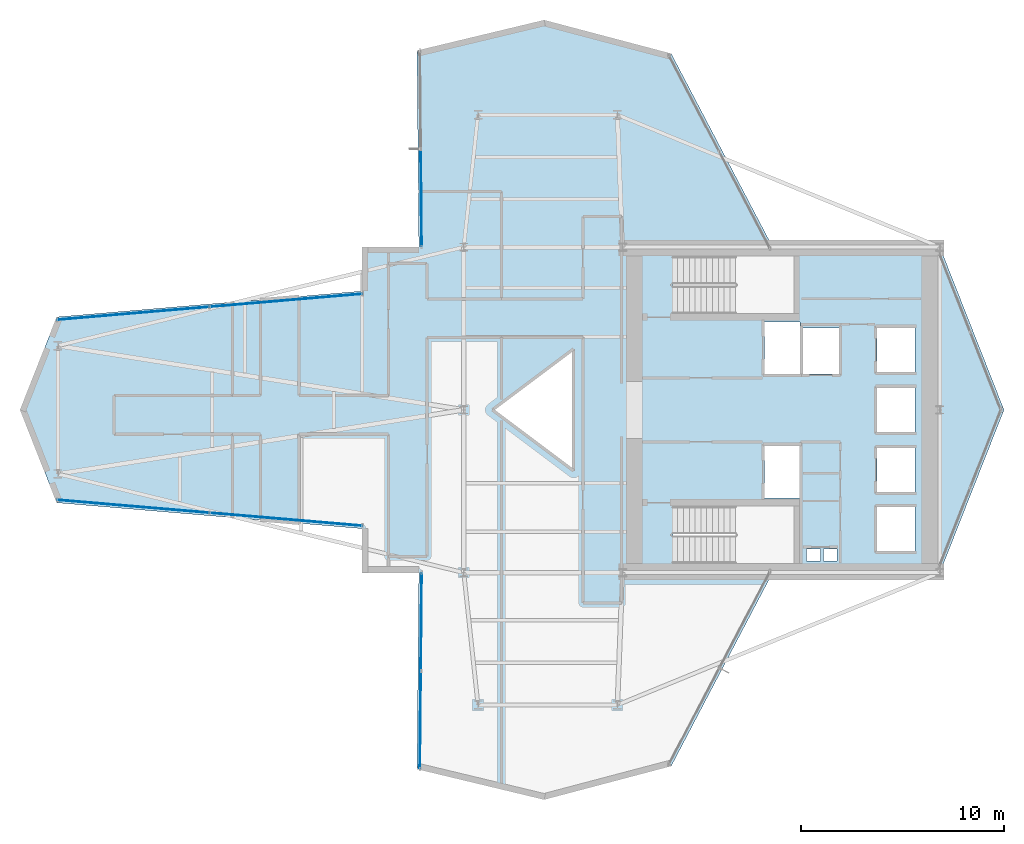
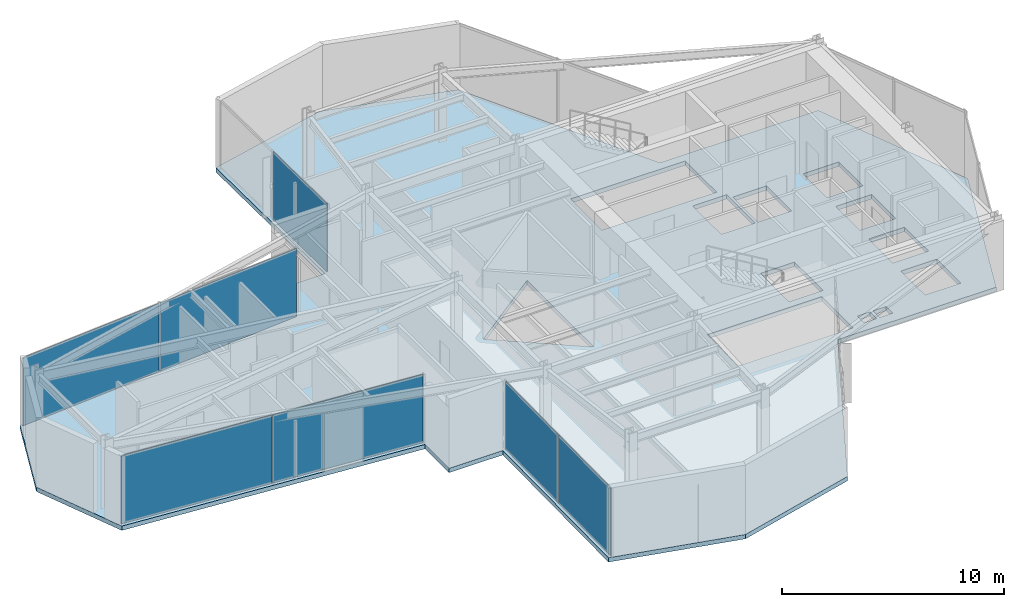
# One storey, part 19 of 25: 7 plates, 1 slab, 4 elements without a shape of their own.
"""IFC4 building model written with IfcOpenShell, lengths in metres."""

from ifc_helpers import new_model, si_unit, direction, frame, origin, origin_2d, place, context, subcontext, project, spatial, polyline, rectangle, outline, extrude, material, layer, layer_set, type_object, element, aggregate, save


model = new_model("IFC4")

# Units and contexts
model_context = context("Model", 3, precision=1e-05, world=origin(), true_north=direction((0.0, 1.0)))
body_context = subcontext(model_context, "Body", "Model", "MODEL_VIEW")
ifc_project = project(units=[si_unit("LENGTHUNIT", "METRE"), si_unit("AREAUNIT", "SQUARE_METRE"), si_unit("VOLUMEUNIT", "CUBIC_METRE"), si_unit("PLANEANGLEUNIT", "RADIAN"), si_unit("MASSUNIT", "GRAM", prefix="KILO")], contexts=[model_context])

# Site, building, storey
site_placement = place(None, origin())
site = spatial("IfcSite", under=ifc_project, at=site_placement, CompositionType="ELEMENT")
building_placement = place(site_placement, origin())
building = spatial("IfcBuilding", under=site, at=building_placement, Name="Veymaron Broadcast Tower", CompositionType="ELEMENT")
storey_placement = place(building_placement, frame((0.0, 0.0, 145.199951171875)))
storey = spatial("IfcBuildingStorey", under=building, at=storey_placement, Name="L33", CompositionType="ELEMENT", Elevation=145.199951171875)

# Curtain wall, plate
ifc_material_1 = material(Name="Anodised aluminium AA 6063-T6 and laminated low-E dark glass", Category="aluminium")
ifc_layer_1 = layer(ifc_material_1, 0.179931640625)
ifc_layer_set_1 = layer_set([ifc_layer_1], Name="Anodised aluminium AA 6063-T6 and laminated low-E dark glass")
curtain_wall_type = type_object("IfcCurtainWallType", Name="CW-SYS-03", PredefinedType="NOTDEFINED", material=ifc_layer_set_1)
curtain_wall_1_placement = place(storey_placement, origin())
curtain_wall_1 = element("IfcCurtainWall", 1, at=curtain_wall_1_placement, inside=storey, type_object=curtain_wall_type, Name="L33 dark-glass curtain wall CW-L33-E8-1", PredefinedType="NOTDEFINED")
ifc_material_2 = material(Name="Insulated dark-anodised aluminium spandrel panel 40 mm", Category="aluminium")
ifc_layer_2 = layer(ifc_material_2, 0.0400390625)
ifc_layer_set_2 = layer_set([ifc_layer_2], Name="Insulated dark-anodised aluminium spandrel panel 40 mm")
plate_type = type_object("IfcPlateType", Name="CW-PNL-03", PredefinedType="CURTAIN_PANEL", material=ifc_layer_set_2)
plate_1_placement = place(storey_placement, frame((29.10986328125, 34.413818359375, 0.0400390625), z_axis=(0.0, 0.0, 1.0), x_axis=(0.009354828341, -0.999956242636, 0.0)))
plate_1 = element("IfcPlate", 2, at=plate_1_placement, type_object=plate_type, Name="CW-L33-E8-1 unitised curtain panel 1", PredefinedType="CURTAIN_PANEL", context=body_context, shape_type="SweptSolid", body=[
    extrude(rectangle(XDim=4.76513671875, YDim=0.0400390625, at=origin_2d()), origin(), (0.0, 0.0, 1.0), 3.72998046875),
])
aggregate(curtain_wall_1, [plate_1])

# Curtain wall, plates
curtain_wall_2_placement = place(storey_placement, origin())
curtain_wall_2 = element("IfcCurtainWall", 3, at=curtain_wall_2_placement, inside=storey, type_object=curtain_wall_type, Name="L33 dark-glass curtain wall CW-L33-E11-1", PredefinedType="NOTDEFINED")
plate_2_placement = place(storey_placement, frame((22.4619140625, 29.38037109375, 0.0400390625), z_axis=(0.0, 0.0, 1.0), x_axis=(-0.996422407783, -0.084512633776, 0.0)))
plate_2 = element("IfcPlate", 4, at=plate_2_placement, type_object=plate_type, Name="CW-L33-E11-1 unitised curtain panel 0", PredefinedType="CURTAIN_PANEL", context=body_context, shape_type="SweptSolid", body=[
    extrude(rectangle(XDim=7.466796875, YDim=0.0400390625, at=origin_2d()), origin(), (0.0, 0.0, 1.0), 3.72998046875),
])
plate_3_placement = place(storey_placement, frame((14.9619140625, 28.744384765625, 0.0400390625), z_axis=(0.0, 0.0, 1.0), x_axis=(-0.996422407783, -0.084512633776, 0.0)))
plate_3 = element("IfcPlate", 5, at=plate_3_placement, type_object=plate_type, Name="CW-L33-E11-1 unitised curtain panel 1", PredefinedType="CURTAIN_PANEL", context=body_context, shape_type="SweptSolid", body=[
    extrude(rectangle(XDim=7.466796875, YDim=0.0400390625, at=origin_2d()), origin(), (0.0, 0.0, 1.0), 3.72998046875),
])
aggregate(curtain_wall_2, [plate_2, plate_3])

curtain_wall_3_placement = place(storey_placement, origin())
curtain_wall_3 = element("IfcCurtainWall", 6, at=curtain_wall_3_placement, inside=storey, type_object=curtain_wall_type, Name="L33 dark-glass curtain wall CW-L33-E14-1", PredefinedType="NOTDEFINED")
plate_4_placement = place(storey_placement, frame((14.9619140625, 19.255615234375, 0.0400390625), z_axis=(0.0, 0.0, 1.0), x_axis=(0.996422407783, -0.084512633776, 0.0)))
plate_4 = element("IfcPlate", 7, at=plate_4_placement, type_object=plate_type, Name="CW-L33-E14-1 unitised curtain panel 0", PredefinedType="CURTAIN_PANEL", context=body_context, shape_type="SweptSolid", body=[
    extrude(rectangle(XDim=7.466796875, YDim=0.0400390625, at=origin_2d()), origin(), (0.0, 0.0, 1.0), 3.72998046875),
])
plate_5_placement = place(storey_placement, frame((22.4619140625, 18.61962890625, 0.0400390625), z_axis=(0.0, 0.0, 1.0), x_axis=(0.996422407783, -0.084512633776, 0.0)))
plate_5 = element("IfcPlate", 8, at=plate_5_placement, type_object=plate_type, Name="CW-L33-E14-1 unitised curtain panel 1", PredefinedType="CURTAIN_PANEL", context=body_context, shape_type="SweptSolid", body=[
    extrude(rectangle(XDim=7.466796875, YDim=0.0400390625, at=origin_2d()), origin(), (0.0, 0.0, 1.0), 3.72998046875),
])
aggregate(curtain_wall_3, [plate_4, plate_5])

curtain_wall_4_placement = place(storey_placement, origin())
curtain_wall_4 = element("IfcCurtainWall", 9, at=curtain_wall_4_placement, inside=storey, type_object=curtain_wall_type, Name="L33 dark-glass curtain wall CW-L33-E17-1", PredefinedType="NOTDEFINED")
plate_6_placement = place(storey_placement, frame((29.10986328125, 13.586181640625, 0.0400390625), z_axis=(0.0, 0.0, 1.0), x_axis=(-0.009354828341, -0.999956242636, 0.0)))
plate_6 = element("IfcPlate", 10, at=plate_6_placement, type_object=plate_type, Name="CW-L33-E17-1 unitised curtain panel 0", PredefinedType="CURTAIN_PANEL", context=body_context, shape_type="SweptSolid", body=[
    extrude(rectangle(XDim=4.76513671875, YDim=0.0400390625, at=origin_2d()), origin(), (0.0, 0.0, 1.0), 3.72998046875),
])
plate_7_placement = place(storey_placement, frame((29.064697265625, 8.76123046875, 0.0400390625), z_axis=(0.0, 0.0, 1.0), x_axis=(-0.009354828341, -0.999956242636, 0.0)))
plate_7 = element("IfcPlate", 11, at=plate_7_placement, type_object=plate_type, Name="CW-L33-E17-1 unitised curtain panel 1", PredefinedType="CURTAIN_PANEL", context=body_context, shape_type="SweptSolid", body=[
    extrude(rectangle(XDim=4.76513671875, YDim=0.0400390625, at=origin_2d()), origin(), (0.0, 0.0, 1.0), 3.72998046875),
])
aggregate(curtain_wall_4, [plate_6, plate_7])

# Slab
ifc_material_3 = material(Name="Concrete C40/50", Category="concrete")
ifc_layer_3 = layer(ifc_material_3, 0.239990234375)
ifc_layer_set_3 = layer_set([ifc_layer_3], Name="Concrete C40/50")
slab_type = type_object("IfcSlabType", Name="SLAB-FS6", PredefinedType="FLOOR", material=ifc_layer_set_3)
slab_placement = place(storey_placement, frame((0.0, 0.0, -0.239990234375)))
element("IfcSlab", 12, at=slab_placement, inside=storey, type_object=slab_type, Name="L33 structural floor slab", PredefinedType="FLOOR", context=body_context, shape_type="SweptSolid", body=[
    extrude(outline(polyline([(46.38037109375, 16.0), (54.60009765625, 16.0), (57.75, 24.0), (54.60009765625, 32.0), (46.38037109375, 32.0), (41.397705078125, 41.5), (35.14990234375, 43.14990234375), (28.902099609375, 41.64990234375), (28.992431640625, 32.0), (26.199951171875, 32.0), (26.199951171875, 29.837890625), (11.199951171875, 28.565673828125), (9.39990234375, 24.0), (11.199951171875, 19.434326171875), (26.199951171875, 18.162109375), (26.199951171875, 16.0), (28.992431640625, 16.0), (28.902099609375, 6.35009765625), (35.14990234375, 4.85009765625), (41.397705078125, 6.5), (46.38037109375, 16.0)]), holes=[polyline([(45.969970703125, 28.330078125), (47.72998046875, 28.330078125), (47.72998046875, 25.77001953125), (45.969970703125, 25.77001953125), (45.969970703125, 28.330078125)]), polyline([(45.969970703125, 22.22998046875), (47.72998046875, 22.22998046875), (47.72998046875, 19.669921875), (45.969970703125, 19.669921875), (45.969970703125, 22.22998046875)]), polyline([(47.8701171875, 28.030029296875), (49.6298828125, 28.030029296875), (49.6298828125, 25.77001953125), (47.8701171875, 25.77001953125), (47.8701171875, 28.030029296875)]), polyline([(51.52001953125, 28.030029296875), (53.3798828125, 28.030029296875), (53.3798828125, 25.8701171875), (51.52001953125, 25.8701171875), (51.52001953125, 28.030029296875)]), polyline([(51.52001953125, 22.1298828125), (53.3798828125, 22.1298828125), (53.3798828125, 19.969970703125), (51.52001953125, 19.969970703125), (51.52001953125, 22.1298828125)]), polyline([(51.52001953125, 25.080078125), (53.3798828125, 25.080078125), (53.3798828125, 22.919921875), (51.52001953125, 22.919921875), (51.52001953125, 25.080078125)]), polyline([(51.52001953125, 19.22998046875), (53.3798828125, 19.22998046875), (53.3798828125, 17.070068359375), (51.52001953125, 17.070068359375), (51.52001953125, 19.22998046875)]), polyline([(48.050048828125, 17.159912109375), (48.719970703125, 17.159912109375), (48.719970703125, 16.56005859375), (48.050048828125, 16.56005859375), (48.050048828125, 17.159912109375)]), polyline([(48.8798828125, 17.159912109375), (49.550048828125, 17.159912109375), (49.550048828125, 16.56005859375), (48.8798828125, 16.56005859375), (48.8798828125, 17.159912109375)]), polyline([(36.60009765625, 27.0), (36.60009765625, 21.0), (32.60009765625, 24.0), (36.60009765625, 27.0)]), polyline([(41.489990234375, 31.550048828125), (47.43994140625, 31.550048828125), (47.43994140625, 28.72998046875), (41.489990234375, 28.72998046875), (41.489990234375, 31.550048828125)]), polyline([(41.489990234375, 19.27001953125), (47.43994140625, 19.27001953125), (47.43994140625, 16.449951171875), (41.489990234375, 16.449951171875), (41.489990234375, 19.27001953125)])]), origin(), (0.0, 0.0, 1.0), 0.239990234375),
])

save(model, "model.ifc")
